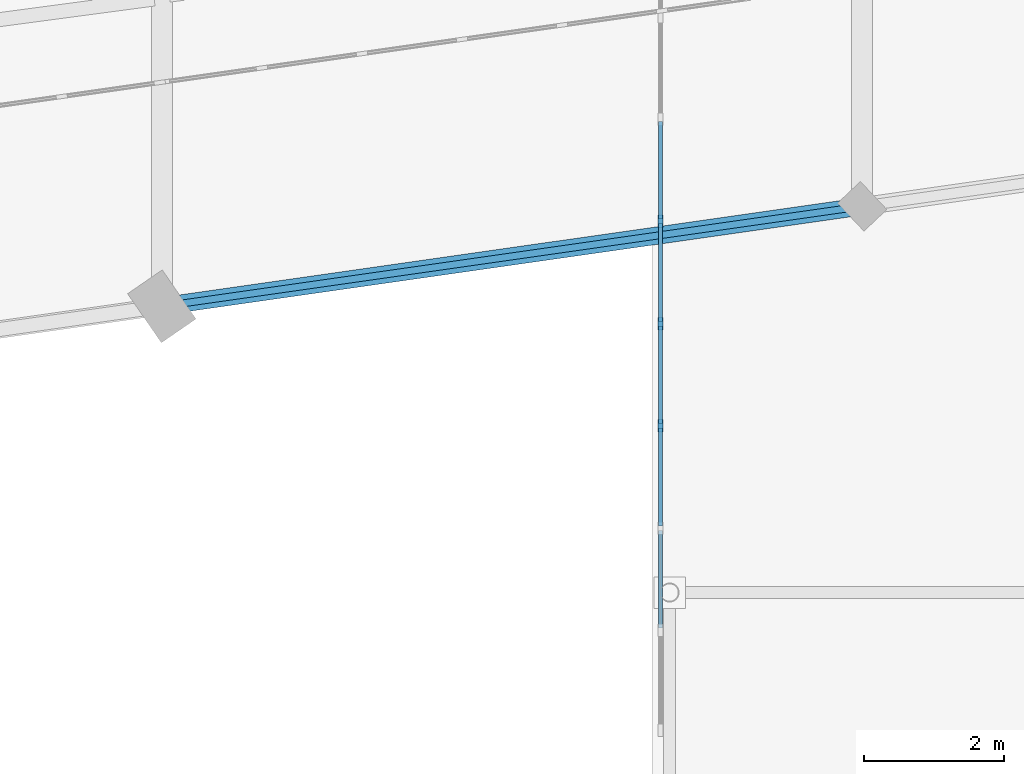
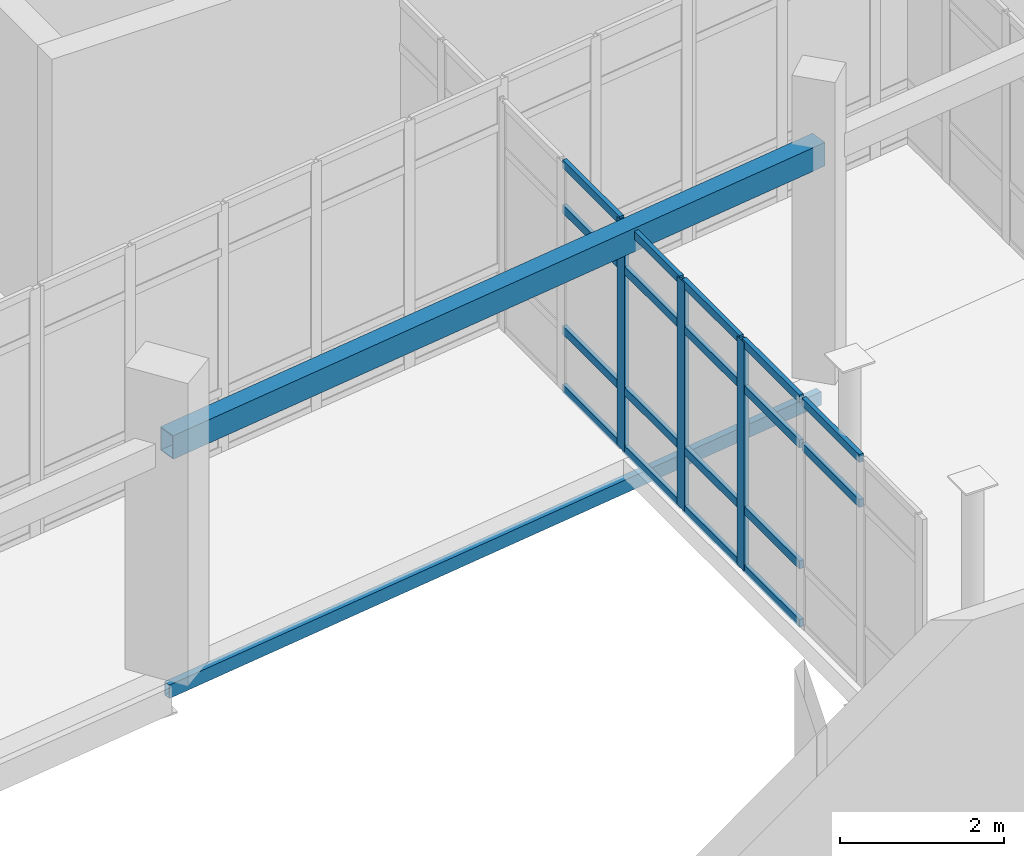
# One storey, part 40 of 122: 21 members, 2 beams, 1 element without a shape of its own.
"""IFC4 building model written with IfcOpenShell, lengths in metres."""

from ifc_helpers import new_model, si_unit, direction, frame, origin, origin_2d, place, context, subcontext, project, spatial, rectangle, hollow_rectangle, extrude, material, layer, layer_set, material_profile, profile_set, type_object, element, aggregate, save


model = new_model("IFC4")

# Units and contexts
model_context = context("Model", 3, precision=1e-05, world=origin(), true_north=direction((0.0, 1.0)))
body_context = subcontext(model_context, "Body", "Model", "MODEL_VIEW")
ifc_project = project(units=[si_unit("LENGTHUNIT", "METRE"), si_unit("AREAUNIT", "SQUARE_METRE"), si_unit("VOLUMEUNIT", "CUBIC_METRE"), si_unit("PLANEANGLEUNIT", "RADIAN"), si_unit("MASSUNIT", "GRAM", prefix="KILO")], contexts=[model_context])

# Site, building, storey
site_placement = place(None, origin())
site = spatial("IfcSite", under=ifc_project, at=site_placement, CompositionType="ELEMENT")
building_placement = place(site_placement, origin())
building = spatial("IfcBuilding", under=site, at=building_placement, Name="Sohan Crest Arena", CompositionType="ELEMENT")
storey_placement = place(building_placement, origin())
storey = spatial("IfcBuildingStorey", under=building, at=storey_placement, Name="L00", CompositionType="ELEMENT", Elevation=0.0)

# Curtain wall, members
ifc_material_1 = material(Name="Thermally broken anodised aluminium", Category="aluminium")
ifc_layer = layer(ifc_material_1, 0.18994140625, Name="Thermally broken anodised aluminium")
ifc_layer_set = layer_set([ifc_layer], Name="Thermally broken anodised aluminium")
curtain_wall_type = type_object("IfcCurtainWallType", Name="ARC-CW05", PredefinedType="NOTDEFINED", material=ifc_layer_set)
curtain_wall_placement = place(storey_placement, origin())
curtain_wall = element("IfcCurtainWall", 1, at=curtain_wall_placement, inside=storey, type_object=curtain_wall_type, Name="Unitised curtain wall CW-253", PredefinedType="NOTDEFINED")
ifc_material_profile_1 = material_profile(ifc_material_1, rectangle(XDim=0.06494140625, YDim=0.179931640625, at=origin_2d()), Name="ALU-MULL 65x180")
ifc_profile_set_1 = profile_set([ifc_material_profile_1], Name="Thermally broken anodised aluminium")
member_type_1 = type_object("IfcMemberType", Name="ARC-CW-ML02", PredefinedType="MULLION", material=ifc_profile_set_1)
member_1_placement = place(storey_placement, frame((135.1201171875, 32.580078125, 0.0), z_axis=(0.0, 0.0, 1.0), x_axis=(-1.0, 0.0, 0.0)))
member_1 = element("IfcMember", 2, at=member_1_placement, type_object=member_type_1, Name="CW-253 mullion 4", PredefinedType="MULLION", context=body_context, shape_type="SweptSolid", body=[
    extrude(rectangle(XDim=0.06494140625, YDim=0.179931640625, at=origin_2d()), origin(), (0.0, 0.0, 1.0), 3.39990234375),
])
member_2_placement = place(storey_placement, frame((135.1201171875, 34.0400390625, 0.0), z_axis=(0.0, 0.0, 1.0), x_axis=(-1.0, 0.0, 0.0)))
member_2 = element("IfcMember", 3, at=member_2_placement, type_object=member_type_1, Name="CW-253 mullion 5", PredefinedType="MULLION", context=body_context, shape_type="SweptSolid", body=[
    extrude(rectangle(XDim=0.06494140625, YDim=0.179931640625, at=origin_2d()), origin(), (0.0, 0.0, 1.0), 3.39990234375),
])
member_3_placement = place(storey_placement, frame((135.1201171875, 35.5, 0.0), z_axis=(0.0, 0.0, 1.0), x_axis=(-1.0, 0.0, 0.0)))
member_3 = element("IfcMember", 4, at=member_3_placement, type_object=member_type_1, Name="CW-253 mullion 6", PredefinedType="MULLION", context=body_context, shape_type="SweptSolid", body=[
    extrude(rectangle(XDim=0.06494140625, YDim=0.179931640625, at=origin_2d()), origin(), (0.0, 0.0, 1.0), 3.39990234375),
])
ifc_material_profile_2 = material_profile(ifc_material_1, rectangle(XDim=0.06005859375, YDim=0.1201171875, at=origin_2d()), Name="ALU-TRAN 60x120")
ifc_profile_set_2 = profile_set([ifc_material_profile_2], Name="Thermally broken anodised aluminium")
member_type_2 = type_object("IfcMemberType", Name="ARC-CW-TR01", PredefinedType="USERDEFINED", material=ifc_profile_set_2)
member_4_placement = place(storey_placement, frame((135.1201171875, 29.6923828125, 2.699951171875), z_axis=(0.0, 1.0, 0.0), x_axis=(-1.0, 0.0, 0.0)))
member_4 = element("IfcMember", 5, at=member_4_placement, type_object=member_type_2, Name="CW-253 transom 2.3", ObjectType="TRANSOM", PredefinedType="USERDEFINED", context=body_context, shape_type="SweptSolid", body=[
    extrude(rectangle(XDim=0.06005859375, YDim=0.1201171875, at=origin_2d()), origin(), (0.0, 0.0, 1.0), 1.39501953125),
])
member_5_placement = place(storey_placement, frame((135.1201171875, 29.6923828125, 3.3701171875), z_axis=(0.0, 1.0, 0.0), x_axis=(-1.0, 0.0, 0.0)))
member_5 = element("IfcMember", 6, at=member_5_placement, type_object=member_type_2, Name="CW-253 transom 2.4", ObjectType="TRANSOM", PredefinedType="USERDEFINED", context=body_context, shape_type="SweptSolid", body=[
    extrude(rectangle(XDim=0.06005859375, YDim=0.1201171875, at=origin_2d()), origin(), (0.0, 0.0, 1.0), 1.39501953125),
])
member_6_placement = place(storey_placement, frame((135.1201171875, 31.152587890625, 0.030029296875), z_axis=(0.0, 1.0, 0.0), x_axis=(-1.0, 0.0, 0.0)))
member_6 = element("IfcMember", 7, at=member_6_placement, type_object=member_type_2, Name="CW-253 transom 3.1", ObjectType="TRANSOM", PredefinedType="USERDEFINED", context=body_context, shape_type="SweptSolid", body=[
    extrude(rectangle(XDim=0.06005859375, YDim=0.1201171875, at=origin_2d()), origin(), (0.0, 0.0, 1.0), 1.39501953125),
])
member_7_placement = place(storey_placement, frame((135.1201171875, 31.152587890625, 0.89990234375), z_axis=(0.0, 1.0, 0.0), x_axis=(-1.0, 0.0, 0.0)))
member_7 = element("IfcMember", 8, at=member_7_placement, type_object=member_type_2, Name="CW-253 transom 3.2", ObjectType="TRANSOM", PredefinedType="USERDEFINED", context=body_context, shape_type="SweptSolid", body=[
    extrude(rectangle(XDim=0.06005859375, YDim=0.1201171875, at=origin_2d()), origin(), (0.0, 0.0, 1.0), 1.39501953125),
])
member_8_placement = place(storey_placement, frame((135.1201171875, 31.152587890625, 2.699951171875), z_axis=(0.0, 1.0, 0.0), x_axis=(-1.0, 0.0, 0.0)))
member_8 = element("IfcMember", 9, at=member_8_placement, type_object=member_type_2, Name="CW-253 transom 3.3", ObjectType="TRANSOM", PredefinedType="USERDEFINED", context=body_context, shape_type="SweptSolid", body=[
    extrude(rectangle(XDim=0.06005859375, YDim=0.1201171875, at=origin_2d()), origin(), (0.0, 0.0, 1.0), 1.39501953125),
])
member_9_placement = place(storey_placement, frame((135.1201171875, 31.152587890625, 3.3701171875), z_axis=(0.0, 1.0, 0.0), x_axis=(-1.0, 0.0, 0.0)))
member_9 = element("IfcMember", 10, at=member_9_placement, type_object=member_type_2, Name="CW-253 transom 3.4", ObjectType="TRANSOM", PredefinedType="USERDEFINED", context=body_context, shape_type="SweptSolid", body=[
    extrude(rectangle(XDim=0.06005859375, YDim=0.1201171875, at=origin_2d()), origin(), (0.0, 0.0, 1.0), 1.39501953125),
])
member_10_placement = place(storey_placement, frame((135.1201171875, 32.612548828125, 0.030029296875), z_axis=(0.0, 1.0, 0.0), x_axis=(-1.0, 0.0, 0.0)))
member_10 = element("IfcMember", 11, at=member_10_placement, type_object=member_type_2, Name="CW-253 transom 4.1", ObjectType="TRANSOM", PredefinedType="USERDEFINED", context=body_context, shape_type="SweptSolid", body=[
    extrude(rectangle(XDim=0.06005859375, YDim=0.1201171875, at=origin_2d()), origin(), (0.0, 0.0, 1.0), 1.39501953125),
])
member_11_placement = place(storey_placement, frame((135.1201171875, 32.612548828125, 0.89990234375), z_axis=(0.0, 1.0, 0.0), x_axis=(-1.0, 0.0, 0.0)))
member_11 = element("IfcMember", 12, at=member_11_placement, type_object=member_type_2, Name="CW-253 transom 4.2", ObjectType="TRANSOM", PredefinedType="USERDEFINED", context=body_context, shape_type="SweptSolid", body=[
    extrude(rectangle(XDim=0.06005859375, YDim=0.1201171875, at=origin_2d()), origin(), (0.0, 0.0, 1.0), 1.39501953125),
])
member_12_placement = place(storey_placement, frame((135.1201171875, 32.612548828125, 2.699951171875), z_axis=(0.0, 1.0, 0.0), x_axis=(-1.0, 0.0, 0.0)))
member_12 = element("IfcMember", 13, at=member_12_placement, type_object=member_type_2, Name="CW-253 transom 4.3", ObjectType="TRANSOM", PredefinedType="USERDEFINED", context=body_context, shape_type="SweptSolid", body=[
    extrude(rectangle(XDim=0.06005859375, YDim=0.1201171875, at=origin_2d()), origin(), (0.0, 0.0, 1.0), 1.39501953125),
])
member_13_placement = place(storey_placement, frame((135.1201171875, 32.612548828125, 3.3701171875), z_axis=(0.0, 1.0, 0.0), x_axis=(-1.0, 0.0, 0.0)))
member_13 = element("IfcMember", 14, at=member_13_placement, type_object=member_type_2, Name="CW-253 transom 4.4", ObjectType="TRANSOM", PredefinedType="USERDEFINED", context=body_context, shape_type="SweptSolid", body=[
    extrude(rectangle(XDim=0.06005859375, YDim=0.1201171875, at=origin_2d()), origin(), (0.0, 0.0, 1.0), 1.39501953125),
])
member_14_placement = place(storey_placement, frame((135.1201171875, 34.072509765625, 0.030029296875), z_axis=(0.0, 1.0, 0.0), x_axis=(-1.0, 0.0, 0.0)))
member_14 = element("IfcMember", 15, at=member_14_placement, type_object=member_type_2, Name="CW-253 transom 5.1", ObjectType="TRANSOM", PredefinedType="USERDEFINED", context=body_context, shape_type="SweptSolid", body=[
    extrude(rectangle(XDim=0.06005859375, YDim=0.1201171875, at=origin_2d()), origin(), (0.0, 0.0, 1.0), 1.39501953125),
])
member_15_placement = place(storey_placement, frame((135.1201171875, 34.072509765625, 0.89990234375), z_axis=(0.0, 1.0, 0.0), x_axis=(-1.0, 0.0, 0.0)))
member_15 = element("IfcMember", 16, at=member_15_placement, type_object=member_type_2, Name="CW-253 transom 5.2", ObjectType="TRANSOM", PredefinedType="USERDEFINED", context=body_context, shape_type="SweptSolid", body=[
    extrude(rectangle(XDim=0.06005859375, YDim=0.1201171875, at=origin_2d()), origin(), (0.0, 0.0, 1.0), 1.39501953125),
])
member_16_placement = place(storey_placement, frame((135.1201171875, 34.072509765625, 2.699951171875), z_axis=(0.0, 1.0, 0.0), x_axis=(-1.0, 0.0, 0.0)))
member_16 = element("IfcMember", 17, at=member_16_placement, type_object=member_type_2, Name="CW-253 transom 5.3", ObjectType="TRANSOM", PredefinedType="USERDEFINED", context=body_context, shape_type="SweptSolid", body=[
    extrude(rectangle(XDim=0.06005859375, YDim=0.1201171875, at=origin_2d()), origin(), (0.0, 0.0, 1.0), 1.39501953125),
])
member_17_placement = place(storey_placement, frame((135.1201171875, 34.072509765625, 3.3701171875), z_axis=(0.0, 1.0, 0.0), x_axis=(-1.0, 0.0, 0.0)))
member_17 = element("IfcMember", 18, at=member_17_placement, type_object=member_type_2, Name="CW-253 transom 5.4", ObjectType="TRANSOM", PredefinedType="USERDEFINED", context=body_context, shape_type="SweptSolid", body=[
    extrude(rectangle(XDim=0.06005859375, YDim=0.1201171875, at=origin_2d()), origin(), (0.0, 0.0, 1.0), 1.39501953125),
])
member_18_placement = place(storey_placement, frame((135.1201171875, 35.532470703125, 0.030029296875), z_axis=(0.0, 1.0, 0.0), x_axis=(-1.0, 0.0, 0.0)))
member_18 = element("IfcMember", 19, at=member_18_placement, type_object=member_type_2, Name="CW-253 transom 6.1", ObjectType="TRANSOM", PredefinedType="USERDEFINED", context=body_context, shape_type="SweptSolid", body=[
    extrude(rectangle(XDim=0.06005859375, YDim=0.1201171875, at=origin_2d()), origin(), (0.0, 0.0, 1.0), 1.39501953125),
])
member_19_placement = place(storey_placement, frame((135.1201171875, 35.532470703125, 0.89990234375), z_axis=(0.0, 1.0, 0.0), x_axis=(-1.0, 0.0, 0.0)))
member_19 = element("IfcMember", 20, at=member_19_placement, type_object=member_type_2, Name="CW-253 transom 6.2", ObjectType="TRANSOM", PredefinedType="USERDEFINED", context=body_context, shape_type="SweptSolid", body=[
    extrude(rectangle(XDim=0.06005859375, YDim=0.1201171875, at=origin_2d()), origin(), (0.0, 0.0, 1.0), 1.39501953125),
])
member_20_placement = place(storey_placement, frame((135.1201171875, 35.532470703125, 2.699951171875), z_axis=(0.0, 1.0, 0.0), x_axis=(-1.0, 0.0, 0.0)))
member_20 = element("IfcMember", 21, at=member_20_placement, type_object=member_type_2, Name="CW-253 transom 6.3", ObjectType="TRANSOM", PredefinedType="USERDEFINED", context=body_context, shape_type="SweptSolid", body=[
    extrude(rectangle(XDim=0.06005859375, YDim=0.1201171875, at=origin_2d()), origin(), (0.0, 0.0, 1.0), 1.39501953125),
])
member_21_placement = place(storey_placement, frame((135.1201171875, 35.532470703125, 3.3701171875), z_axis=(0.0, 1.0, 0.0), x_axis=(-1.0, 0.0, 0.0)))
member_21 = element("IfcMember", 22, at=member_21_placement, type_object=member_type_2, Name="CW-253 transom 6.4", ObjectType="TRANSOM", PredefinedType="USERDEFINED", context=body_context, shape_type="SweptSolid", body=[
    extrude(rectangle(XDim=0.06005859375, YDim=0.1201171875, at=origin_2d()), origin(), (0.0, 0.0, 1.0), 1.39501953125),
])
aggregate(curtain_wall, [member_1, member_2, member_3, member_4, member_5, member_6, member_7, member_8, member_9, member_10, member_11, member_12, member_13, member_14, member_15, member_16, member_17, member_18, member_19, member_20, member_21])

# Beams
ifc_material_2 = material(Name="Steel S355", Category="steel")
ifc_material_profile_3 = material_profile(ifc_material_2, hollow_rectangle(XDim=0.10009765625, YDim=0.199951171875, WallThickness=0.008056640625, at=origin_2d()), Name="RHS 200x100x8")
ifc_profile_set_3 = profile_set([ifc_material_profile_3], Name="Steel S355")
beam_type_1 = type_object("IfcBeamType", Name="STR-BM-SP01", PredefinedType="SPANDREL", material=ifc_profile_set_3)
beam_1_placement = place(storey_placement, frame((128.0, 34.285888671875, -0.375), z_axis=(0.989954326844, 0.141387519825, 0.0), x_axis=(-0.141387519825, 0.989954326844, 0.0)))
element("IfcBeam", 23, at=beam_1_placement, inside=storey, type_object=beam_type_1, Name="Structural beam SP-L00-0981", PredefinedType="SPANDREL", context=body_context, shape_type="SweptSolid", body=[
    extrude(hollow_rectangle(XDim=0.10009765625, YDim=0.199951171875, WallThickness=0.008056640625, at=origin_2d()), origin(), (0.0, 0.0, 1.0), 10.1015625),
])
ifc_material_profile_4 = material_profile(ifc_material_2, hollow_rectangle(XDim=0.25, YDim=0.35009765625, WallThickness=0.012451171875, at=origin_2d()), Name="RHS 350x250x12.5")
ifc_profile_set_4 = profile_set([ifc_material_profile_4], Name="Steel S355")
beam_type_2 = type_object("IfcBeamType", Name="STR-BM-SP04", PredefinedType="SPANDREL", material=ifc_profile_set_4)
beam_2_placement = place(storey_placement, frame((128.0, 34.285888671875, 3.300048828125), z_axis=(0.989954326844, 0.141387519825, 0.0), x_axis=(-0.141387519825, 0.989954326844, 0.0)))
element("IfcBeam", 24, at=beam_2_placement, inside=storey, type_object=beam_type_2, Name="Structural beam ARC-L00-0982", PredefinedType="SPANDREL", context=body_context, shape_type="SweptSolid", body=[
    extrude(hollow_rectangle(XDim=0.25, YDim=0.35009765625, WallThickness=0.012451171875, at=origin_2d()), origin(), (0.0, 0.0, 1.0), 10.1015625),
])

save(model, "model.ifc")
